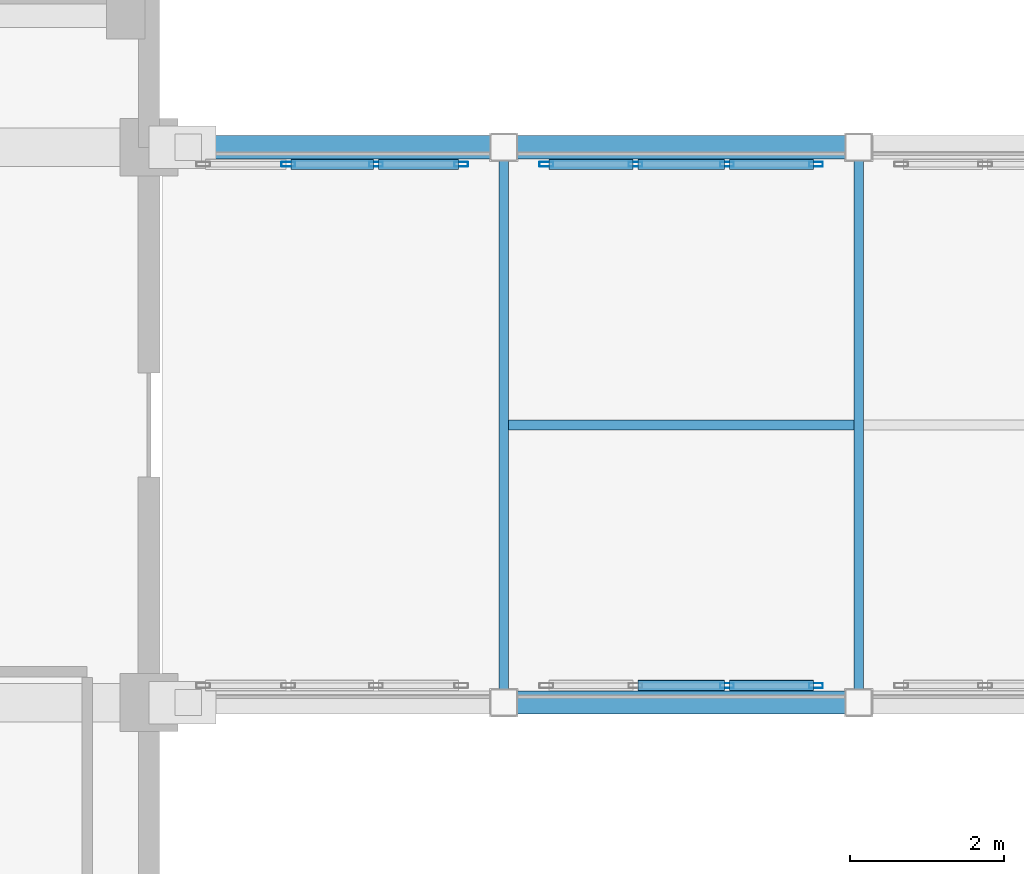
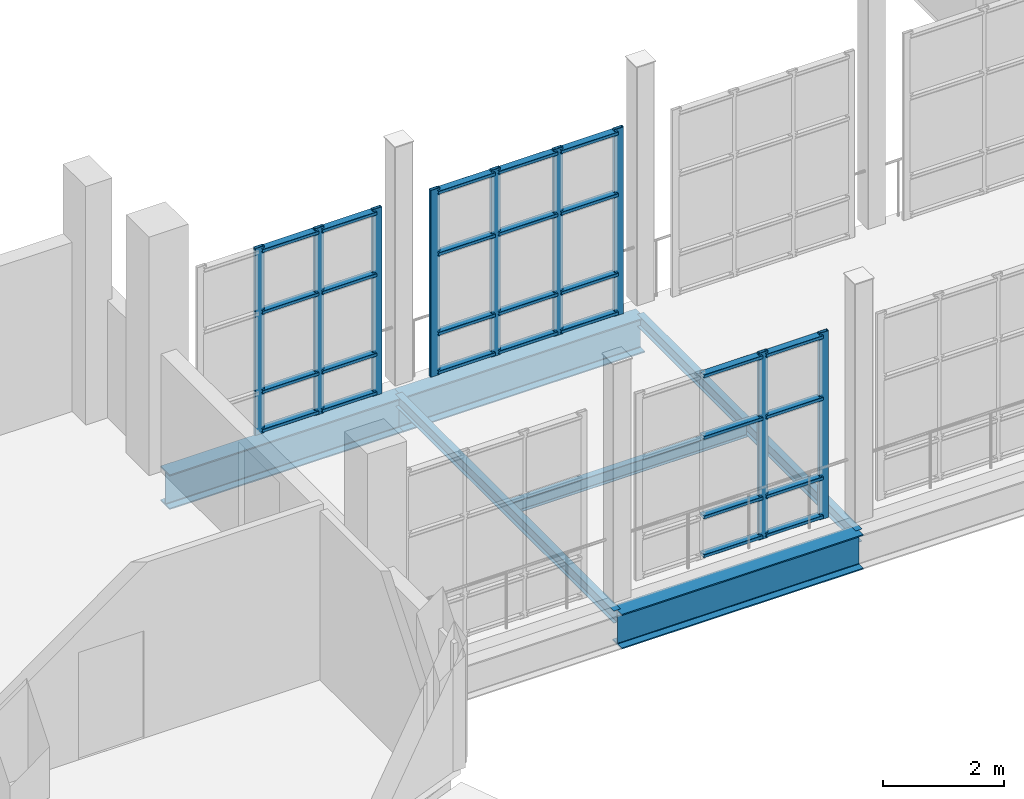
# One storey, part 30 of 106: 37 members, 6 beams, 3 elements without a shape of their own.
"""IFC4 building model written with IfcOpenShell, lengths in metres."""

import ifcopenshell
import ifcopenshell.guid

model = None  # the IFC model being written
_history = None  # IfcOwnerHistory: only IFC2X3 demands one
_inside = {}  # id of a spatial element -> (the spatial element, [elements in it])
_under = {}  # id of a project, library or spatial element -> (it, [spatial elements below it])
_declared = {}  # id of a project -> (the project, [libraries it declares])
_typed = {}  # id of a type object -> (the type object, [elements of that type])
_made_of = {}  # id of a material, layer set ... -> (it, [elements and type objects made of it])


def new_model(schema):
    """Start an empty IFC model of exactly this schema.

    Asked for "IFC4X3", IfcOpenShell would pick the latest addendum, in which some entities
    have other attributes; the version numbers below select the first issue.
    IFC2X3 requires an IfcOwnerHistory on every rooted entity: one is made here for all.
    """
    global model, _history
    if schema == "IFC4X3":
        model = ifcopenshell.file(schema_version=(4, 3, 0, 0))
    else:
        model = ifcopenshell.file(schema=schema)
    _inside.clear()
    _under.clear()
    _declared.clear()
    _typed.clear()
    _made_of.clear()
    _history = None
    if model.schema == "IFC2X3":
        org = make("IfcOrganization", Name="unknown")
        user = make(
            "IfcPersonAndOrganization",
            ThePerson=make("IfcPerson", FamilyName="unknown"),
            TheOrganization=org,
        )
        app = make(
            "IfcApplication",
            ApplicationDeveloper=org,
            Version="unknown",
            ApplicationFullName="unknown",
            ApplicationIdentifier="unknown",
        )
        _history = make(
            "IfcOwnerHistory",
            OwningUser=user,
            OwningApplication=app,
            ChangeAction="ADDED",
            CreationDate=0,
        )
    return model


def make(cls, **values):
    """One entity of the class cls with the attributes given. An attribute that is None is left unset."""
    return model.create_entity(
        cls, **{name: value for name, value in values.items() if value is not None}
    )


def rooted(cls, **values):
    """An entity with a GlobalId (a new one), such as an element, a storey or a relation."""
    return make(cls, GlobalId=ifcopenshell.guid.new(), OwnerHistory=_history, **values)


def si_unit(unit_type, name, prefix=None):
    """IfcSIUnit, for example si_unit("LENGTHUNIT", "METRE", prefix="MILLI")."""
    return make("IfcSIUnit", UnitType=unit_type, Prefix=prefix, Name=name)


def assignment(units):
    """IfcUnitAssignment: the units of a project."""
    return None if units is None else make("IfcUnitAssignment", Units=units)


def point(xyz):
    """IfcCartesianPoint."""
    return None if xyz is None else make("IfcCartesianPoint", Coordinates=xyz)


def direction(xyz):
    """IfcDirection."""
    return None if xyz is None else make("IfcDirection", DirectionRatios=xyz)


def frame(location, z_axis=None, x_axis=None):
    """IfcAxis2Placement3D, a coordinate frame: its origin and axes. An axis left out is left unset."""
    return make(
        "IfcAxis2Placement3D",
        Location=point(location),
        Axis=direction(z_axis),
        RefDirection=direction(x_axis),
    )


def frame_2d(location, x_axis=None):
    """IfcAxis2Placement2D, a coordinate frame in the plane: its origin and x axis."""
    return make(
        "IfcAxis2Placement2D", Location=point(location), RefDirection=direction(x_axis)
    )


def origin():
    """The frame at (0, 0, 0) with its axes left unset."""
    return frame((0.0, 0.0, 0.0))


def origin_2d():
    """The frame at (0, 0) in the plane with its x axis left unset."""
    return frame_2d((0.0, 0.0))


def place(relative_to, where):
    """IfcLocalPlacement: puts the frame where relative to a parent placement (None: the world)."""
    return make(
        "IfcLocalPlacement", PlacementRelTo=relative_to, RelativePlacement=where
    )


def context(
    kind, dimensions, precision=None, world=None, true_north=None, identifier=None
):
    """IfcGeometricRepresentationContext, for example the 3D "Model" context."""
    return make(
        "IfcGeometricRepresentationContext",
        ContextIdentifier=identifier,
        ContextType=kind,
        CoordinateSpaceDimension=dimensions,
        Precision=precision,
        WorldCoordinateSystem=world,
        TrueNorth=true_north,
    )


def subcontext(parent, identifier, kind, view, scale=None):
    """IfcGeometricRepresentationSubContext, for example "Body" below "Model"."""
    return make(
        "IfcGeometricRepresentationSubContext",
        ContextIdentifier=identifier,
        ContextType=kind,
        ParentContext=parent,
        TargetScale=scale,
        TargetView=view,
    )


def project(units=None, contexts=None):
    """IfcProject with its units and contexts."""
    return rooted(
        "IfcProject",
        Name="project",
        RepresentationContexts=contexts,
        UnitsInContext=assignment(units),
    )


def spatial(cls, under=None, at=None, **own):
    """A site, building, storey or space (cls), placed at a placement, below another one or the project."""
    s = rooted(cls, ObjectPlacement=at, **own)
    if under is not None:
        _under.setdefault(under.id(), (under, []))[1].append(s)
    return s


def profile(cls, at=None, kind="AREA", **sizes):
    """A parametric profile (cls). Its sizes go by their IFC names, for example OverallWidth=200.0."""
    return make(cls, ProfileType=kind, Position=at, **sizes)


def hollow_rectangle(**sizes):
    """IfcRectangleHollowProfileDef."""
    return profile("IfcRectangleHollowProfileDef", **sizes)


def i_section(**sizes):
    """IfcIShapeProfileDef."""
    return profile("IfcIShapeProfileDef", **sizes)


def extrude(swept, where, along, depth):
    """IfcExtrudedAreaSolid: the profile swept, set in the frame where, extruded along a direction by depth."""
    return make(
        "IfcExtrudedAreaSolid",
        SweptArea=swept,
        Position=where,
        ExtrudedDirection=direction(along),
        Depth=depth,
    )


def shape(context_of_items, identifier, shape_type, items):
    """IfcShapeRepresentation: the items that make up one representation, for example the "Body"."""
    return make(
        "IfcShapeRepresentation",
        ContextOfItems=context_of_items,
        RepresentationIdentifier=identifier,
        RepresentationType=shape_type,
        Items=items,
    )


def material(Name=None, Category=None):
    """IfcMaterial."""
    return make("IfcMaterial", Name=Name, Category=Category)


def layer(
    of_material, thickness, ventilated=None, Name=None, Category=None, Priority=None
):
    """IfcMaterialLayer: one layer of a wall or slab, of a material (None: an air gap)."""
    return make(
        "IfcMaterialLayer",
        Material=of_material,
        LayerThickness=thickness,
        IsVentilated=ventilated,
        Name=Name,
        Category=Category,
        Priority=Priority,
    )


def layer_set(layers, Name=None):
    """IfcMaterialLayerSet."""
    return make("IfcMaterialLayerSet", MaterialLayers=layers, LayerSetName=Name)


def material_profile(
    of_material, cross_section, Name=None, Category=None, Priority=None
):
    """IfcMaterialProfile: a cross section and its material."""
    return make(
        "IfcMaterialProfile",
        Name=Name,
        Material=of_material,
        Profile=cross_section,
        Priority=Priority,
        Category=Category,
    )


def profile_set(profiles, Name=None, composite=None):
    """IfcMaterialProfileSet."""
    return make(
        "IfcMaterialProfileSet",
        Name=Name,
        MaterialProfiles=profiles,
        CompositeProfile=composite,
    )


def made_of(thing, what):
    """Note that an element or type object is made of a material, layer set ...; save() writes the relation."""
    if what is not None:
        _made_of.setdefault(what.id(), (what, []))[1].append(thing)
    return thing


def type_object(cls, material=None, **own):
    """A type object (cls), such as IfcWallType, which elements share."""
    return made_of(rooted(cls, **own), material)


def element(
    cls,
    number,
    at=None,
    inside=None,
    cuts=None,
    type_object=None,
    material=None,
    context=None,
    identifier="Body",
    shape_type=None,
    held_by="IfcProductDefinitionShape",
    body=None,
    shapes=None,
    **own,
):
    """One element of the class cls, such as IfcWall. Its Tag is "e" and its number.

    at: its placement. inside: the storey or other place that contains it. cuts: it is an
    opening in that element (IfcRelVoidsElement). A single representation is given by context,
    identifier, shape_type and body (its items); several are given by shapes. held_by: the class
    of the entity that holds the representations. save() writes the other relations.
    """
    e = rooted(cls, Tag="e%d" % number, ObjectPlacement=at, **own)
    if body is not None:
        shapes = [shape(context, identifier, shape_type, body)]
    if shapes is not None:
        e.Representation = make(held_by, Representations=shapes)
    if inside is not None:
        _inside.setdefault(inside.id(), (inside, []))[1].append(e)
    if cuts is not None:
        rooted(
            "IfcRelVoidsElement", RelatingBuildingElement=cuts, RelatedOpeningElement=e
        )
    if type_object is not None:
        _typed.setdefault(type_object.id(), (type_object, []))[1].append(e)
    return made_of(e, material)


def aggregate(whole, parts):
    """IfcRelAggregates: a whole, such as a stair, and the parts it consists of."""
    return rooted("IfcRelAggregates", RelatingObject=whole, RelatedObjects=parts)


def save(model, path):
    """Write the relations noted so far, then the file.

    IfcRelAggregates (storeys below a building ...), IfcRelContainedInSpatialStructure (elements
    in a storey), IfcRelDefinesByType, IfcRelAssociatesMaterial and IfcRelDeclares: one each for
    every whole, place, type object, material and project.
    """
    for whole, parts in _under.values():
        aggregate(whole, parts)
    for where, things in _inside.values():
        rooted(
            "IfcRelContainedInSpatialStructure",
            RelatedElements=things,
            RelatingStructure=where,
        )
    for kind, things in _typed.values():
        rooted("IfcRelDefinesByType", RelatedObjects=things, RelatingType=kind)
    for what, things in _made_of.values():
        rooted("IfcRelAssociatesMaterial", RelatedObjects=things, RelatingMaterial=what)
    for by, libraries in _declared.values():
        rooted("IfcRelDeclares", RelatingContext=by, RelatedDefinitions=libraries)
    model.write(path)


model = new_model("IFC4")

# Units and contexts
model_context = context("Model", 3, precision=1e-05, world=origin(), true_north=direction((0.0, 1.0)))
body_context = subcontext(model_context, "Body", "Model", "MODEL_VIEW")
ifc_project = project(units=[si_unit("LENGTHUNIT", "METRE"), si_unit("AREAUNIT", "SQUARE_METRE"), si_unit("VOLUMEUNIT", "CUBIC_METRE"), si_unit("PLANEANGLEUNIT", "RADIAN"), si_unit("MASSUNIT", "GRAM", prefix="KILO")], contexts=[model_context])

# Site, building, storey
site_placement = place(None, origin())
site = spatial("IfcSite", under=ifc_project, at=site_placement, CompositionType="ELEMENT")
building_placement = place(site_placement, origin())
building = spatial("IfcBuilding", under=site, at=building_placement, Name="Kisaragi Civic Commons", CompositionType="ELEMENT")
storey_placement = place(building_placement, frame((0.0, 0.0, 4.800048828125)))
storey = spatial("IfcBuildingStorey", under=building, at=storey_placement, Name="L01", CompositionType="ELEMENT", Elevation=4.800048828125)

# Curtain wall, members
ifc_material_1 = material(Name="Thermally broken anodized aluminium and low-E double glazing", Category="aluminium")
ifc_layer = layer(ifc_material_1, 0.179931640625, Name="Thermally broken anodized aluminium and low-E double glazing", Category="aluminium")
ifc_layer_set = layer_set([ifc_layer], Name="Thermally broken anodized aluminium and low-E double glazing")
curtain_wall_type = type_object("IfcCurtainWallType", Name="CW-04", PredefinedType="NOTDEFINED", material=ifc_layer_set)
curtain_wall_1_placement = place(storey_placement, origin())
curtain_wall_1 = element("IfcCurtainWall", 1, at=curtain_wall_1_placement, inside=storey, type_object=curtain_wall_type, Name="L01 curtain wall CW-04 CW-BR-118", PredefinedType="NOTDEFINED")
ifc_material_profile_1 = material_profile(ifc_material_1, hollow_rectangle(XDim=0.06494140625, YDim=0.179931640625, WallThickness=0.00439453125, InnerFilletRadius=0.00439453125, OuterFilletRadius=0.009033203125, at=origin_2d()), Name="CWM-65x180x4.5", Category="aluminium")
ifc_profile_set_1 = profile_set([ifc_material_profile_1], Name="Thermally broken anodized aluminium and low-E double glazing")
member_type_1 = type_object("IfcMemberType", Name="CWM-02", PredefinedType="MULLION", material=ifc_profile_set_1)
member_1_placement = place(storey_placement, frame((61.893310546875, 104.6201171875, 0.0), z_axis=(0.0, 0.0, 1.0), x_axis=(0.0, 1.0, 0.0)))
member_1 = element("IfcMember", 2, at=member_1_placement, type_object=member_type_1, Name="CW-04 mullion 3", PredefinedType="MULLION", context=body_context, shape_type="SweptSolid", body=[
    extrude(hollow_rectangle(XDim=0.06494140625, YDim=0.179931640625, WallThickness=0.00439453125, InnerFilletRadius=0.00439453125, OuterFilletRadius=0.009033203125, at=origin_2d()), origin(), (0.0, 0.0, 1.0), 3.760009765625),
])
member_2_placement = place(storey_placement, frame((63.047607421875, 104.6201171875, 0.0), z_axis=(0.0, 0.0, 1.0), x_axis=(0.0, 1.0, 0.0)))
member_2 = element("IfcMember", 3, at=member_2_placement, type_object=member_type_1, Name="CW-04 mullion 4", PredefinedType="MULLION", context=body_context, shape_type="SweptSolid", body=[
    extrude(hollow_rectangle(XDim=0.06494140625, YDim=0.179931640625, WallThickness=0.00439453125, InnerFilletRadius=0.00439453125, OuterFilletRadius=0.009033203125, at=origin_2d()), origin(), (0.0, 0.0, 1.0), 3.760009765625),
])

curtain_wall_2_placement = place(storey_placement, origin())
curtain_wall_2 = element("IfcCurtainWall", 4, at=curtain_wall_2_placement, inside=storey, type_object=curtain_wall_type, Name="L01 curtain wall CW-04 CW-BR-121", PredefinedType="NOTDEFINED")
member_3_placement = place(storey_placement, frame((56.206787109375, 111.3798828125, 0.0), z_axis=(0.0, 0.0, 1.0), x_axis=(0.0, 1.0, 0.0)))
member_3 = element("IfcMember", 5, at=member_3_placement, type_object=member_type_1, Name="CW-04 mullion 2", PredefinedType="MULLION", context=body_context, shape_type="SweptSolid", body=[
    extrude(hollow_rectangle(XDim=0.06494140625, YDim=0.179931640625, WallThickness=0.00439453125, InnerFilletRadius=0.00439453125, OuterFilletRadius=0.009033203125, at=origin_2d()), origin(), (0.0, 0.0, 1.0), 3.760009765625),
])
member_4_placement = place(storey_placement, frame((57.34326171875, 111.3798828125, 0.0), z_axis=(0.0, 0.0, 1.0), x_axis=(0.0, 1.0, 0.0)))
member_4 = element("IfcMember", 6, at=member_4_placement, type_object=member_type_1, Name="CW-04 mullion 3", PredefinedType="MULLION", context=body_context, shape_type="SweptSolid", body=[
    extrude(hollow_rectangle(XDim=0.06494140625, YDim=0.179931640625, WallThickness=0.00439453125, InnerFilletRadius=0.00439453125, OuterFilletRadius=0.009033203125, at=origin_2d()), origin(), (0.0, 0.0, 1.0), 3.760009765625),
])
member_5_placement = place(storey_placement, frame((58.447509765625, 111.3798828125, 0.0), z_axis=(0.0, 0.0, 1.0), x_axis=(0.0, 1.0, 0.0)))
member_5 = element("IfcMember", 7, at=member_5_placement, type_object=member_type_1, Name="CW-04 mullion 4", PredefinedType="MULLION", context=body_context, shape_type="SweptSolid", body=[
    extrude(hollow_rectangle(XDim=0.06494140625, YDim=0.179931640625, WallThickness=0.00439453125, InnerFilletRadius=0.00439453125, OuterFilletRadius=0.009033203125, at=origin_2d()), origin(), (0.0, 0.0, 1.0), 3.760009765625),
])

curtain_wall_3_placement = place(storey_placement, origin())
curtain_wall_3 = element("IfcCurtainWall", 8, at=curtain_wall_3_placement, inside=storey, type_object=curtain_wall_type, Name="L01 curtain wall CW-04 CW-BR-122", PredefinedType="NOTDEFINED")
member_6_placement = place(storey_placement, frame((59.552490234375, 111.3798828125, 0.0), z_axis=(0.0, 0.0, 1.0), x_axis=(0.0, 1.0, 0.0)))
member_6 = element("IfcMember", 9, at=member_6_placement, type_object=member_type_1, Name="CW-04 mullion 1", PredefinedType="MULLION", context=body_context, shape_type="SweptSolid", body=[
    extrude(hollow_rectangle(XDim=0.06494140625, YDim=0.179931640625, WallThickness=0.00439453125, InnerFilletRadius=0.00439453125, OuterFilletRadius=0.009033203125, at=origin_2d()), origin(), (0.0, 0.0, 1.0), 3.760009765625),
])
member_7_placement = place(storey_placement, frame((60.706787109375, 111.3798828125, 0.0), z_axis=(0.0, 0.0, 1.0), x_axis=(0.0, 1.0, 0.0)))
member_7 = element("IfcMember", 10, at=member_7_placement, type_object=member_type_1, Name="CW-04 mullion 2", PredefinedType="MULLION", context=body_context, shape_type="SweptSolid", body=[
    extrude(hollow_rectangle(XDim=0.06494140625, YDim=0.179931640625, WallThickness=0.00439453125, InnerFilletRadius=0.00439453125, OuterFilletRadius=0.009033203125, at=origin_2d()), origin(), (0.0, 0.0, 1.0), 3.760009765625),
])
member_8_placement = place(storey_placement, frame((61.893310546875, 111.3798828125, 0.0), z_axis=(0.0, 0.0, 1.0), x_axis=(0.0, 1.0, 0.0)))
member_8 = element("IfcMember", 11, at=member_8_placement, type_object=member_type_1, Name="CW-04 mullion 3", PredefinedType="MULLION", context=body_context, shape_type="SweptSolid", body=[
    extrude(hollow_rectangle(XDim=0.06494140625, YDim=0.179931640625, WallThickness=0.00439453125, InnerFilletRadius=0.00439453125, OuterFilletRadius=0.009033203125, at=origin_2d()), origin(), (0.0, 0.0, 1.0), 3.760009765625),
])
member_9_placement = place(storey_placement, frame((63.047607421875, 111.3798828125, 0.0), z_axis=(0.0, 0.0, 1.0), x_axis=(0.0, 1.0, 0.0)))
member_9 = element("IfcMember", 12, at=member_9_placement, type_object=member_type_1, Name="CW-04 mullion 4", PredefinedType="MULLION", context=body_context, shape_type="SweptSolid", body=[
    extrude(hollow_rectangle(XDim=0.06494140625, YDim=0.179931640625, WallThickness=0.00439453125, InnerFilletRadius=0.00439453125, OuterFilletRadius=0.009033203125, at=origin_2d()), origin(), (0.0, 0.0, 1.0), 3.760009765625),
])

# Member
ifc_material_profile_2 = material_profile(ifc_material_1, hollow_rectangle(XDim=0.139892578125, YDim=0.06494140625, WallThickness=0.00439453125, InnerFilletRadius=0.00439453125, OuterFilletRadius=0.009033203125, at=origin_2d()), Name="CWT-65x140x4.5", Category="aluminium")
ifc_profile_set_2 = profile_set([ifc_material_profile_2], Name="Thermally broken anodized aluminium and low-E double glazing")
member_type_2 = type_object("IfcMemberType", Name="CWT-02", PredefinedType="USERDEFINED", material=ifc_profile_set_2)
member_10_placement = place(storey_placement, frame((60.7392578125, 104.6201171875, 0.070068359375), z_axis=(1.0, 0.0, 0.0), x_axis=(0.0, 1.0, 0.0)))
member_10 = element("IfcMember", 13, at=member_10_placement, type_object=member_type_2, Name="CW-04 transom 2.1", ObjectType="TRANSOM", PredefinedType="USERDEFINED", context=body_context, shape_type="SweptSolid", body=[
    extrude(hollow_rectangle(XDim=0.139892578125, YDim=0.06494140625, WallThickness=0.00439453125, InnerFilletRadius=0.00439453125, OuterFilletRadius=0.009033203125, at=origin_2d()), origin(), (0.0, 0.0, 1.0), 1.12158203125),
])

member_11_placement = place(storey_placement, frame((60.7392578125, 104.6201171875, 0.849853515625), z_axis=(1.0, 0.0, 0.0), x_axis=(0.0, 1.0, 0.0)))
member_11 = element("IfcMember", 14, at=member_11_placement, type_object=member_type_2, Name="CW-04 transom 2.2", ObjectType="TRANSOM", PredefinedType="USERDEFINED", context=body_context, shape_type="SweptSolid", body=[
    extrude(hollow_rectangle(XDim=0.139892578125, YDim=0.06494140625, WallThickness=0.00439453125, InnerFilletRadius=0.00439453125, OuterFilletRadius=0.009033203125, at=origin_2d()), origin(), (0.0, 0.0, 1.0), 1.12158203125),
])

member_12_placement = place(storey_placement, frame((60.7392578125, 104.6201171875, 2.449951171875), z_axis=(1.0, 0.0, 0.0), x_axis=(0.0, 1.0, 0.0)))
member_12 = element("IfcMember", 15, at=member_12_placement, type_object=member_type_2, Name="CW-04 transom 2.3", ObjectType="TRANSOM", PredefinedType="USERDEFINED", context=body_context, shape_type="SweptSolid", body=[
    extrude(hollow_rectangle(XDim=0.139892578125, YDim=0.06494140625, WallThickness=0.00439453125, InnerFilletRadius=0.00439453125, OuterFilletRadius=0.009033203125, at=origin_2d()), origin(), (0.0, 0.0, 1.0), 1.12158203125),
])

member_13_placement = place(storey_placement, frame((60.7392578125, 104.6201171875, 3.68994140625), z_axis=(1.0, 0.0, 0.0), x_axis=(0.0, 1.0, 0.0)))
member_13 = element("IfcMember", 16, at=member_13_placement, type_object=member_type_2, Name="CW-04 transom 2.4", ObjectType="TRANSOM", PredefinedType="USERDEFINED", context=body_context, shape_type="SweptSolid", body=[
    extrude(hollow_rectangle(XDim=0.139892578125, YDim=0.06494140625, WallThickness=0.00439453125, InnerFilletRadius=0.00439453125, OuterFilletRadius=0.009033203125, at=origin_2d()), origin(), (0.0, 0.0, 1.0), 1.12158203125),
])

member_14_placement = place(storey_placement, frame((61.92578125, 104.6201171875, 0.070068359375), z_axis=(1.0, 0.0, 0.0), x_axis=(0.0, 1.0, 0.0)))
member_14 = element("IfcMember", 17, at=member_14_placement, type_object=member_type_2, Name="CW-04 transom 3.1", ObjectType="TRANSOM", PredefinedType="USERDEFINED", context=body_context, shape_type="SweptSolid", body=[
    extrude(hollow_rectangle(XDim=0.139892578125, YDim=0.06494140625, WallThickness=0.00439453125, InnerFilletRadius=0.00439453125, OuterFilletRadius=0.009033203125, at=origin_2d()), origin(), (0.0, 0.0, 1.0), 1.089111328125),
])

member_15_placement = place(storey_placement, frame((61.92578125, 104.6201171875, 0.849853515625), z_axis=(1.0, 0.0, 0.0), x_axis=(0.0, 1.0, 0.0)))
member_15 = element("IfcMember", 18, at=member_15_placement, type_object=member_type_2, Name="CW-04 transom 3.2", ObjectType="TRANSOM", PredefinedType="USERDEFINED", context=body_context, shape_type="SweptSolid", body=[
    extrude(hollow_rectangle(XDim=0.139892578125, YDim=0.06494140625, WallThickness=0.00439453125, InnerFilletRadius=0.00439453125, OuterFilletRadius=0.009033203125, at=origin_2d()), origin(), (0.0, 0.0, 1.0), 1.089111328125),
])

member_16_placement = place(storey_placement, frame((61.92578125, 104.6201171875, 2.449951171875), z_axis=(1.0, 0.0, 0.0), x_axis=(0.0, 1.0, 0.0)))
member_16 = element("IfcMember", 19, at=member_16_placement, type_object=member_type_2, Name="CW-04 transom 3.3", ObjectType="TRANSOM", PredefinedType="USERDEFINED", context=body_context, shape_type="SweptSolid", body=[
    extrude(hollow_rectangle(XDim=0.139892578125, YDim=0.06494140625, WallThickness=0.00439453125, InnerFilletRadius=0.00439453125, OuterFilletRadius=0.009033203125, at=origin_2d()), origin(), (0.0, 0.0, 1.0), 1.089111328125),
])

member_17_placement = place(storey_placement, frame((61.92578125, 104.6201171875, 3.68994140625), z_axis=(1.0, 0.0, 0.0), x_axis=(0.0, 1.0, 0.0)))
member_17 = element("IfcMember", 20, at=member_17_placement, type_object=member_type_2, Name="CW-04 transom 3.4", ObjectType="TRANSOM", PredefinedType="USERDEFINED", context=body_context, shape_type="SweptSolid", body=[
    extrude(hollow_rectangle(XDim=0.139892578125, YDim=0.06494140625, WallThickness=0.00439453125, InnerFilletRadius=0.00439453125, OuterFilletRadius=0.009033203125, at=origin_2d()), origin(), (0.0, 0.0, 1.0), 1.089111328125),
])

aggregate(curtain_wall_1, [member_1, member_2, member_10, member_11, member_12, member_13, member_14, member_15, member_16, member_17])

member_18_placement = place(storey_placement, frame((56.2392578125, 111.3798828125, 0.070068359375), z_axis=(1.0, 0.0, 0.0), x_axis=(0.0, 1.0, 0.0)))
member_18 = element("IfcMember", 21, at=member_18_placement, type_object=member_type_2, Name="CW-04 transom 2.1", ObjectType="TRANSOM", PredefinedType="USERDEFINED", context=body_context, shape_type="SweptSolid", body=[
    extrude(hollow_rectangle(XDim=0.139892578125, YDim=0.06494140625, WallThickness=0.00439453125, InnerFilletRadius=0.00439453125, OuterFilletRadius=0.009033203125, at=origin_2d()), origin(), (0.0, 0.0, 1.0), 1.071533203125),
])

member_19_placement = place(storey_placement, frame((56.2392578125, 111.3798828125, 0.849853515625), z_axis=(1.0, 0.0, 0.0), x_axis=(0.0, 1.0, 0.0)))
member_19 = element("IfcMember", 22, at=member_19_placement, type_object=member_type_2, Name="CW-04 transom 2.2", ObjectType="TRANSOM", PredefinedType="USERDEFINED", context=body_context, shape_type="SweptSolid", body=[
    extrude(hollow_rectangle(XDim=0.139892578125, YDim=0.06494140625, WallThickness=0.00439453125, InnerFilletRadius=0.00439453125, OuterFilletRadius=0.009033203125, at=origin_2d()), origin(), (0.0, 0.0, 1.0), 1.071533203125),
])

member_20_placement = place(storey_placement, frame((56.2392578125, 111.3798828125, 2.449951171875), z_axis=(1.0, 0.0, 0.0), x_axis=(0.0, 1.0, 0.0)))
member_20 = element("IfcMember", 23, at=member_20_placement, type_object=member_type_2, Name="CW-04 transom 2.3", ObjectType="TRANSOM", PredefinedType="USERDEFINED", context=body_context, shape_type="SweptSolid", body=[
    extrude(hollow_rectangle(XDim=0.139892578125, YDim=0.06494140625, WallThickness=0.00439453125, InnerFilletRadius=0.00439453125, OuterFilletRadius=0.009033203125, at=origin_2d()), origin(), (0.0, 0.0, 1.0), 1.071533203125),
])

member_21_placement = place(storey_placement, frame((56.2392578125, 111.3798828125, 3.68994140625), z_axis=(1.0, 0.0, 0.0), x_axis=(0.0, 1.0, 0.0)))
member_21 = element("IfcMember", 24, at=member_21_placement, type_object=member_type_2, Name="CW-04 transom 2.4", ObjectType="TRANSOM", PredefinedType="USERDEFINED", context=body_context, shape_type="SweptSolid", body=[
    extrude(hollow_rectangle(XDim=0.139892578125, YDim=0.06494140625, WallThickness=0.00439453125, InnerFilletRadius=0.00439453125, OuterFilletRadius=0.009033203125, at=origin_2d()), origin(), (0.0, 0.0, 1.0), 1.071533203125),
])

member_22_placement = place(storey_placement, frame((57.375732421875, 111.3798828125, 0.070068359375), z_axis=(1.0, 0.0, 0.0), x_axis=(0.0, 1.0, 0.0)))
member_22 = element("IfcMember", 25, at=member_22_placement, type_object=member_type_2, Name="CW-04 transom 3.1", ObjectType="TRANSOM", PredefinedType="USERDEFINED", context=body_context, shape_type="SweptSolid", body=[
    extrude(hollow_rectangle(XDim=0.139892578125, YDim=0.06494140625, WallThickness=0.00439453125, InnerFilletRadius=0.00439453125, OuterFilletRadius=0.009033203125, at=origin_2d()), origin(), (0.0, 0.0, 1.0), 1.039306640625),
])

member_23_placement = place(storey_placement, frame((57.375732421875, 111.3798828125, 0.849853515625), z_axis=(1.0, 0.0, 0.0), x_axis=(0.0, 1.0, 0.0)))
member_23 = element("IfcMember", 26, at=member_23_placement, type_object=member_type_2, Name="CW-04 transom 3.2", ObjectType="TRANSOM", PredefinedType="USERDEFINED", context=body_context, shape_type="SweptSolid", body=[
    extrude(hollow_rectangle(XDim=0.139892578125, YDim=0.06494140625, WallThickness=0.00439453125, InnerFilletRadius=0.00439453125, OuterFilletRadius=0.009033203125, at=origin_2d()), origin(), (0.0, 0.0, 1.0), 1.039306640625),
])

member_24_placement = place(storey_placement, frame((57.375732421875, 111.3798828125, 2.449951171875), z_axis=(1.0, 0.0, 0.0), x_axis=(0.0, 1.0, 0.0)))
member_24 = element("IfcMember", 27, at=member_24_placement, type_object=member_type_2, Name="CW-04 transom 3.3", ObjectType="TRANSOM", PredefinedType="USERDEFINED", context=body_context, shape_type="SweptSolid", body=[
    extrude(hollow_rectangle(XDim=0.139892578125, YDim=0.06494140625, WallThickness=0.00439453125, InnerFilletRadius=0.00439453125, OuterFilletRadius=0.009033203125, at=origin_2d()), origin(), (0.0, 0.0, 1.0), 1.039306640625),
])

member_25_placement = place(storey_placement, frame((57.375732421875, 111.3798828125, 3.68994140625), z_axis=(1.0, 0.0, 0.0), x_axis=(0.0, 1.0, 0.0)))
member_25 = element("IfcMember", 28, at=member_25_placement, type_object=member_type_2, Name="CW-04 transom 3.4", ObjectType="TRANSOM", PredefinedType="USERDEFINED", context=body_context, shape_type="SweptSolid", body=[
    extrude(hollow_rectangle(XDim=0.139892578125, YDim=0.06494140625, WallThickness=0.00439453125, InnerFilletRadius=0.00439453125, OuterFilletRadius=0.009033203125, at=origin_2d()), origin(), (0.0, 0.0, 1.0), 1.039306640625),
])

aggregate(curtain_wall_2, [member_3, member_4, member_5, member_18, member_19, member_20, member_21, member_22, member_23, member_24, member_25])

member_26_placement = place(storey_placement, frame((59.5849609375, 111.3798828125, 0.070068359375), z_axis=(1.0, 0.0, 0.0), x_axis=(0.0, 1.0, 0.0)))
member_26 = element("IfcMember", 29, at=member_26_placement, type_object=member_type_2, Name="CW-04 transom 1.1", ObjectType="TRANSOM", PredefinedType="USERDEFINED", context=body_context, shape_type="SweptSolid", body=[
    extrude(hollow_rectangle(XDim=0.139892578125, YDim=0.06494140625, WallThickness=0.00439453125, InnerFilletRadius=0.00439453125, OuterFilletRadius=0.009033203125, at=origin_2d()), origin(), (0.0, 0.0, 1.0), 1.089111328125),
])

member_27_placement = place(storey_placement, frame((59.5849609375, 111.3798828125, 0.849853515625), z_axis=(1.0, 0.0, 0.0), x_axis=(0.0, 1.0, 0.0)))
member_27 = element("IfcMember", 30, at=member_27_placement, type_object=member_type_2, Name="CW-04 transom 1.2", ObjectType="TRANSOM", PredefinedType="USERDEFINED", context=body_context, shape_type="SweptSolid", body=[
    extrude(hollow_rectangle(XDim=0.139892578125, YDim=0.06494140625, WallThickness=0.00439453125, InnerFilletRadius=0.00439453125, OuterFilletRadius=0.009033203125, at=origin_2d()), origin(), (0.0, 0.0, 1.0), 1.089111328125),
])

member_28_placement = place(storey_placement, frame((59.5849609375, 111.3798828125, 2.449951171875), z_axis=(1.0, 0.0, 0.0), x_axis=(0.0, 1.0, 0.0)))
member_28 = element("IfcMember", 31, at=member_28_placement, type_object=member_type_2, Name="CW-04 transom 1.3", ObjectType="TRANSOM", PredefinedType="USERDEFINED", context=body_context, shape_type="SweptSolid", body=[
    extrude(hollow_rectangle(XDim=0.139892578125, YDim=0.06494140625, WallThickness=0.00439453125, InnerFilletRadius=0.00439453125, OuterFilletRadius=0.009033203125, at=origin_2d()), origin(), (0.0, 0.0, 1.0), 1.089111328125),
])

member_29_placement = place(storey_placement, frame((59.5849609375, 111.3798828125, 3.68994140625), z_axis=(1.0, 0.0, 0.0), x_axis=(0.0, 1.0, 0.0)))
member_29 = element("IfcMember", 32, at=member_29_placement, type_object=member_type_2, Name="CW-04 transom 1.4", ObjectType="TRANSOM", PredefinedType="USERDEFINED", context=body_context, shape_type="SweptSolid", body=[
    extrude(hollow_rectangle(XDim=0.139892578125, YDim=0.06494140625, WallThickness=0.00439453125, InnerFilletRadius=0.00439453125, OuterFilletRadius=0.009033203125, at=origin_2d()), origin(), (0.0, 0.0, 1.0), 1.089111328125),
])

member_30_placement = place(storey_placement, frame((60.7392578125, 111.3798828125, 0.070068359375), z_axis=(1.0, 0.0, 0.0), x_axis=(0.0, 1.0, 0.0)))
member_30 = element("IfcMember", 33, at=member_30_placement, type_object=member_type_2, Name="CW-04 transom 2.1", ObjectType="TRANSOM", PredefinedType="USERDEFINED", context=body_context, shape_type="SweptSolid", body=[
    extrude(hollow_rectangle(XDim=0.139892578125, YDim=0.06494140625, WallThickness=0.00439453125, InnerFilletRadius=0.00439453125, OuterFilletRadius=0.009033203125, at=origin_2d()), origin(), (0.0, 0.0, 1.0), 1.12158203125),
])

member_31_placement = place(storey_placement, frame((60.7392578125, 111.3798828125, 0.849853515625), z_axis=(1.0, 0.0, 0.0), x_axis=(0.0, 1.0, 0.0)))
member_31 = element("IfcMember", 34, at=member_31_placement, type_object=member_type_2, Name="CW-04 transom 2.2", ObjectType="TRANSOM", PredefinedType="USERDEFINED", context=body_context, shape_type="SweptSolid", body=[
    extrude(hollow_rectangle(XDim=0.139892578125, YDim=0.06494140625, WallThickness=0.00439453125, InnerFilletRadius=0.00439453125, OuterFilletRadius=0.009033203125, at=origin_2d()), origin(), (0.0, 0.0, 1.0), 1.12158203125),
])

member_32_placement = place(storey_placement, frame((60.7392578125, 111.3798828125, 2.449951171875), z_axis=(1.0, 0.0, 0.0), x_axis=(0.0, 1.0, 0.0)))
member_32 = element("IfcMember", 35, at=member_32_placement, type_object=member_type_2, Name="CW-04 transom 2.3", ObjectType="TRANSOM", PredefinedType="USERDEFINED", context=body_context, shape_type="SweptSolid", body=[
    extrude(hollow_rectangle(XDim=0.139892578125, YDim=0.06494140625, WallThickness=0.00439453125, InnerFilletRadius=0.00439453125, OuterFilletRadius=0.009033203125, at=origin_2d()), origin(), (0.0, 0.0, 1.0), 1.12158203125),
])

member_33_placement = place(storey_placement, frame((60.7392578125, 111.3798828125, 3.68994140625), z_axis=(1.0, 0.0, 0.0), x_axis=(0.0, 1.0, 0.0)))
member_33 = element("IfcMember", 36, at=member_33_placement, type_object=member_type_2, Name="CW-04 transom 2.4", ObjectType="TRANSOM", PredefinedType="USERDEFINED", context=body_context, shape_type="SweptSolid", body=[
    extrude(hollow_rectangle(XDim=0.139892578125, YDim=0.06494140625, WallThickness=0.00439453125, InnerFilletRadius=0.00439453125, OuterFilletRadius=0.009033203125, at=origin_2d()), origin(), (0.0, 0.0, 1.0), 1.12158203125),
])

member_34_placement = place(storey_placement, frame((61.92578125, 111.3798828125, 0.070068359375), z_axis=(1.0, 0.0, 0.0), x_axis=(0.0, 1.0, 0.0)))
member_34 = element("IfcMember", 37, at=member_34_placement, type_object=member_type_2, Name="CW-04 transom 3.1", ObjectType="TRANSOM", PredefinedType="USERDEFINED", context=body_context, shape_type="SweptSolid", body=[
    extrude(hollow_rectangle(XDim=0.139892578125, YDim=0.06494140625, WallThickness=0.00439453125, InnerFilletRadius=0.00439453125, OuterFilletRadius=0.009033203125, at=origin_2d()), origin(), (0.0, 0.0, 1.0), 1.089111328125),
])

member_35_placement = place(storey_placement, frame((61.92578125, 111.3798828125, 0.849853515625), z_axis=(1.0, 0.0, 0.0), x_axis=(0.0, 1.0, 0.0)))
member_35 = element("IfcMember", 38, at=member_35_placement, type_object=member_type_2, Name="CW-04 transom 3.2", ObjectType="TRANSOM", PredefinedType="USERDEFINED", context=body_context, shape_type="SweptSolid", body=[
    extrude(hollow_rectangle(XDim=0.139892578125, YDim=0.06494140625, WallThickness=0.00439453125, InnerFilletRadius=0.00439453125, OuterFilletRadius=0.009033203125, at=origin_2d()), origin(), (0.0, 0.0, 1.0), 1.089111328125),
])

member_36_placement = place(storey_placement, frame((61.92578125, 111.3798828125, 2.449951171875), z_axis=(1.0, 0.0, 0.0), x_axis=(0.0, 1.0, 0.0)))
member_36 = element("IfcMember", 39, at=member_36_placement, type_object=member_type_2, Name="CW-04 transom 3.3", ObjectType="TRANSOM", PredefinedType="USERDEFINED", context=body_context, shape_type="SweptSolid", body=[
    extrude(hollow_rectangle(XDim=0.139892578125, YDim=0.06494140625, WallThickness=0.00439453125, InnerFilletRadius=0.00439453125, OuterFilletRadius=0.009033203125, at=origin_2d()), origin(), (0.0, 0.0, 1.0), 1.089111328125),
])

member_37_placement = place(storey_placement, frame((61.92578125, 111.3798828125, 3.68994140625), z_axis=(1.0, 0.0, 0.0), x_axis=(0.0, 1.0, 0.0)))
member_37 = element("IfcMember", 40, at=member_37_placement, type_object=member_type_2, Name="CW-04 transom 3.4", ObjectType="TRANSOM", PredefinedType="USERDEFINED", context=body_context, shape_type="SweptSolid", body=[
    extrude(hollow_rectangle(XDim=0.139892578125, YDim=0.06494140625, WallThickness=0.00439453125, InnerFilletRadius=0.00439453125, OuterFilletRadius=0.009033203125, at=origin_2d()), origin(), (0.0, 0.0, 1.0), 1.089111328125),
])

aggregate(curtain_wall_3, [member_6, member_7, member_8, member_9, member_26, member_27, member_28, member_29, member_30, member_31, member_32, member_33, member_34, member_35, member_36, member_37])

# Beams
ifc_material_2 = material(Name="Steel SN490 (SN490B)", Category="steel")
ifc_material_profile_3 = material_profile(ifc_material_2, i_section(OverallWidth=0.300048828125, OverallDepth=0.699951171875, WebThickness=0.012939453125, FlangeThickness=0.02392578125, FilletRadius=0.01806640625, at=origin_2d()), Name="H-700x300x13x24", Category="steel")
ifc_profile_set_3 = profile_set([ifc_material_profile_3], Name="Steel SN490 (SN490B)")
beam_type_1 = type_object("IfcBeamType", Name="G-09", PredefinedType="BEAM", material=ifc_profile_set_3)
for number, where, z_axis, x_axis, name in (
    (41, (63.60009765625, 104.39990234375, -0.655029296875), (-1.0, 0.0, 0.0), (0.0, -1.0, 0.0), "BR-V4-V2 L01 bridge girder 18"),
    (42, (63.60009765625, 111.60009765625, -0.655029296875), (-1.0, 0.0, 0.0), (0.0, -1.0, 0.0), "BR-V4-V2 L01 bridge girder 23"),
):
    element("IfcBeam", number, at=place(storey_placement, frame(where, z_axis=z_axis, x_axis=x_axis)), inside=storey, type_object=beam_type_1, Name=name, PredefinedType="BEAM", context=body_context, shape_type="SweptSolid", body=[
        extrude(i_section(OverallWidth=0.300048828125, OverallDepth=0.699951171875, WebThickness=0.012939453125, FlangeThickness=0.02392578125, FilletRadius=0.01806640625, at=origin_2d()), origin(), (0.0, 0.0, 1.0), 4.60009765625),
    ])
beam_1_placement = place(storey_placement, frame((59.0, 111.60009765625, -0.655029296875), z_axis=(-1.0, 0.0, 0.0), x_axis=(0.0, -1.0, 0.0)))
element("IfcBeam", 43, at=beam_1_placement, inside=storey, type_object=beam_type_1, Name="BR-V4-V2 L01 bridge girder 24", PredefinedType="BEAM", context=body_context, shape_type="SweptSolid", body=[
    extrude(i_section(OverallWidth=0.300048828125, OverallDepth=0.699951171875, WebThickness=0.012939453125, FlangeThickness=0.02392578125, FilletRadius=0.01806640625, at=origin_2d()), origin(), (0.0, 0.0, 1.0), 4.449951171875),
])
ifc_material_3 = material(Name="Steel SN400 (SN400B)", Category="steel")
ifc_material_profile_4 = material_profile(ifc_material_3, i_section(OverallWidth=0.125, OverallDepth=0.25, WebThickness=0.006103515625, FlangeThickness=0.009033203125, FilletRadius=0.008056640625, at=origin_2d()), Name="H-250x125x6x9", Category="steel")
ifc_profile_set_4 = profile_set([ifc_material_profile_4], Name="Steel SN400 (SN400B)")
beam_type_2 = type_object("IfcBeamType", Name="J-05", PredefinedType="JOIST", material=ifc_profile_set_4)
for number, where, z_axis, x_axis, name in (
    (44, (63.60009765625, 104.39990234375, -0.429931640625), (0.0, 1.0, 0.0), (-1.0, 0.0, 0.0), "BR-V4-V2 L01 cross joist 27"),
    (45, (59.0, 104.39990234375, -0.429931640625), (0.0, 1.0, 0.0), (-1.0, 0.0, 0.0), "BR-V4-V2 L01 cross joist 28"),
):
    element("IfcBeam", number, at=place(storey_placement, frame(where, z_axis=z_axis, x_axis=x_axis)), inside=storey, type_object=beam_type_2, Name=name, PredefinedType="JOIST", context=body_context, shape_type="SweptSolid", body=[
        extrude(i_section(OverallWidth=0.125, OverallDepth=0.25, WebThickness=0.006103515625, FlangeThickness=0.009033203125, FilletRadius=0.008056640625, at=origin_2d()), origin(), (0.0, 0.0, 1.0), 7.2001953125),
    ])
beam_2_placement = place(storey_placement, frame((63.53759765625, 108.0, -0.429931640625), z_axis=(-1.0, 0.0, 0.0), x_axis=(0.0, -1.0, 0.0)))
element("IfcBeam", 46, at=beam_2_placement, inside=storey, type_object=beam_type_2, Name="BR-V4-V2 L01 spine joist 30", PredefinedType="JOIST", context=body_context, shape_type="SweptSolid", body=[
    extrude(i_section(OverallWidth=0.125, OverallDepth=0.25, WebThickness=0.006103515625, FlangeThickness=0.009033203125, FilletRadius=0.008056640625, at=origin_2d()), origin(), (0.0, 0.0, 1.0), 4.47509765625),
])

save(model, "model.ifc")
